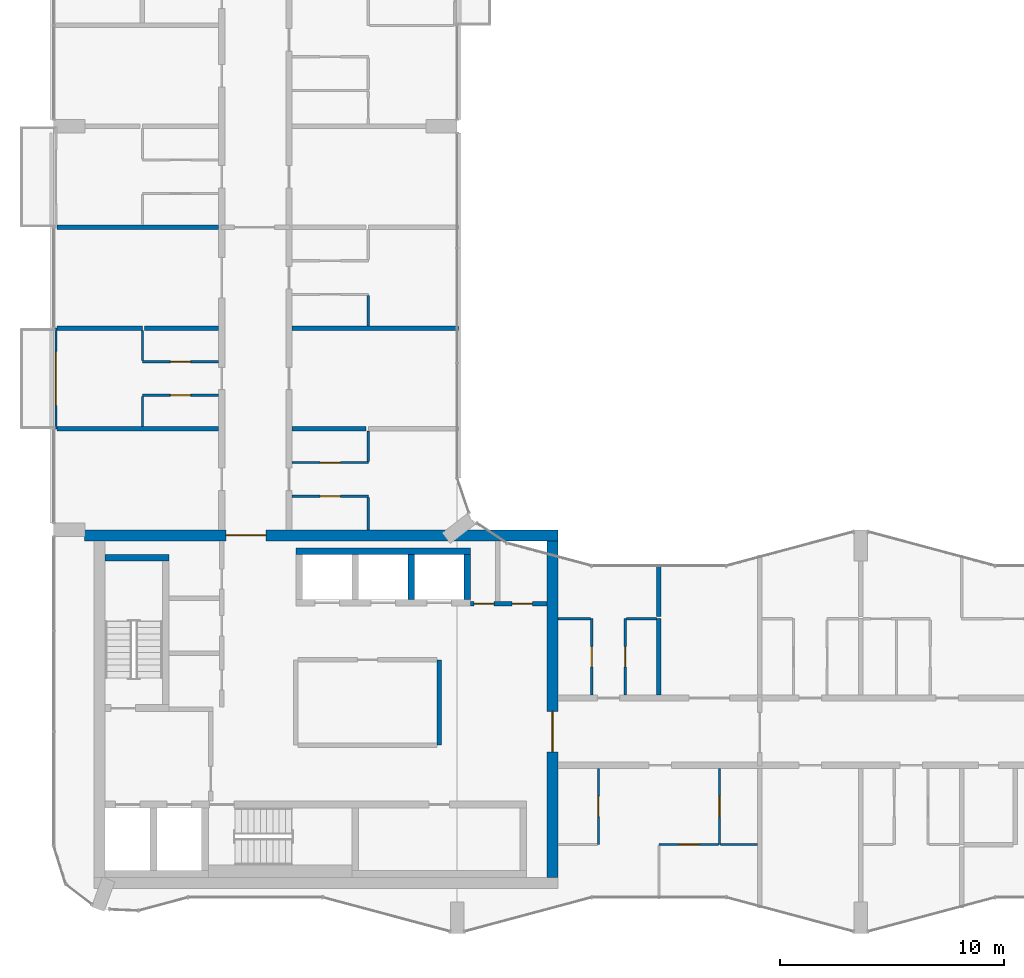
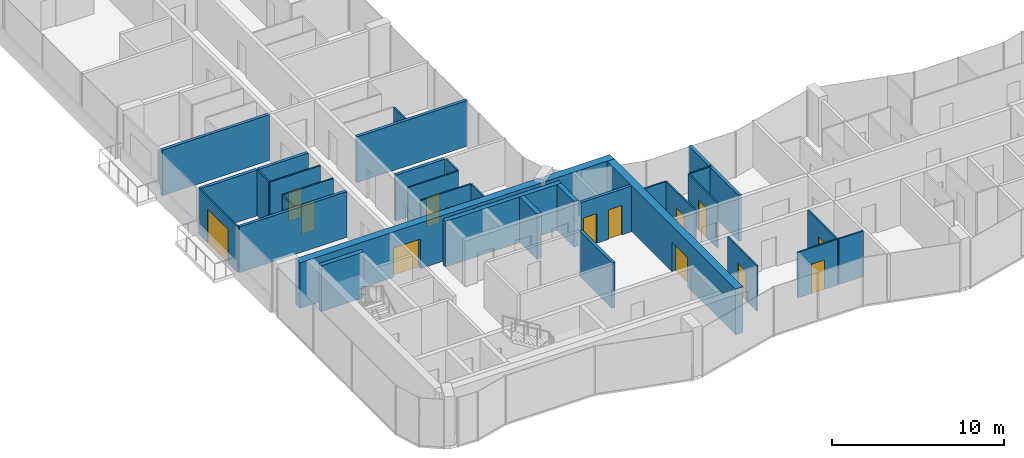
# One storey, part 10 of 16: 34 walls, 14 doors, 14 openings.
"""IFC4 building model written with IfcOpenShell, lengths in metres."""

from ifc_helpers import new_model, si_unit, direction, frame, frame_2d, origin, place, context, subcontext, project, spatial, rectangle, extrude, material, layer, layer_set, type_object, element, fill, save


model = new_model("IFC4")

# Units and contexts
model_context = context("Model", 3, precision=1e-05, world=origin(), true_north=direction((0.0, 1.0)))
body_context = subcontext(model_context, "Body", "Model", "MODEL_VIEW")
ifc_project = project(units=[si_unit("LENGTHUNIT", "METRE"), si_unit("AREAUNIT", "SQUARE_METRE"), si_unit("VOLUMEUNIT", "CUBIC_METRE"), si_unit("PLANEANGLEUNIT", "RADIAN"), si_unit("MASSUNIT", "GRAM", prefix="KILO")], contexts=[model_context])

# Site, building, storey
site_placement = place(None, origin())
site = spatial("IfcSite", under=ifc_project, at=site_placement, CompositionType="ELEMENT")
building_placement = place(site_placement, origin())
building = spatial("IfcBuilding", under=site, at=building_placement, Name="Plateau Cross Towers", CompositionType="ELEMENT")
storey_placement = place(building_placement, frame((0.0, 0.0, 218.89990234375)))
storey = spatial("IfcBuildingStorey", under=building, at=storey_placement, Name="L57", CompositionType="ELEMENT", Elevation=218.89990234375)

# Wall, opening, door
ifc_material_1 = material(Name="Aluminium framed glazing", Category="aluminium")
ifc_layer_1 = layer(ifc_material_1, 0.10009765625)
ifc_layer_set_1 = layer_set([ifc_layer_1], Name="Aluminium framed glazing")
wall_type_1 = type_object("IfcWallType", Name="Balcony screen wall 100", PredefinedType="STANDARD", material=ifc_layer_set_1)
wall_1_placement = place(storey_placement, frame((0.10009765625, 22.5, 0.0), z_axis=(0.0, 0.0, 1.0), x_axis=(0.0, 1.0, 0.0)))
wall_1 = element("IfcWall", 1, at=wall_1_placement, inside=storey, type_object=wall_type_1, Name="Balcony screen wall A-BAL-L57-01", PredefinedType="STANDARD", context=body_context, shape_type="SweptSolid", body=[
    extrude(rectangle(XDim=4.5, YDim=0.10009765625, at=frame_2d((2.25, 0.0))), origin(), (0.0, 0.0, 1.0), 3.25),
])
opening_1_placement = place(wall_1_placement, frame((1.050048828125, 0.0, 0.0)))
opening_1 = element("IfcOpeningElement", 2, at=opening_1_placement, cuts=wall_1, Name="Opening D-B24", PredefinedType="OPENING", context=body_context, shape_type="SweptSolid", body=[
    extrude(rectangle(XDim=2.39990234375, YDim=2.39990234375, at=frame_2d((1.199951171875, 1.199951171875))), frame((0.0, 0.06005859375, 0.0), z_axis=(0.0, -1.0, 0.0), x_axis=(1.0, 0.0, 0.0)), (0.0, 0.0, 1.0), 0.1201171875),
])
ifc_material_2 = material(Name="Aluminium frame, double glazing", Category="aluminium")
door_type_1 = type_object("IfcDoorType", Name="Balcony sliding door 2400", OperationType="NOTDEFINED", PredefinedType="DOOR", material=ifc_material_2)
door_1_placement = place(opening_1_placement, origin())
door_1 = element("IfcDoor", 3, at=door_1_placement, inside=storey, type_object=door_type_1, Name="Balcony door A-BAL-L57-01", OperationType="SINGLE_SWING_LEFT", OverallHeight=2.39990234375, OverallWidth=2.39990234375, PredefinedType="DOOR", context=body_context, shape_type="SweptSolid", body=[
    extrude(rectangle(XDim=2.39990234375, YDim=2.39990234375, at=frame_2d((1.199951171875, 1.199951171875))), frame((0.0, 0.02490234375, 0.0), z_axis=(0.0, -1.0, 0.0), x_axis=(1.0, 0.0, 0.0)), (0.0, 0.0, 1.0), 0.050048828125),
])
fill(opening_1, door_1)

# Wall
ifc_material_3 = material(Name="Concrete block, plastered both sides", Category="concrete")
ifc_layer_2 = layer(ifc_material_3, 0.199951171875)
ifc_layer_set_2 = layer_set([ifc_layer_2], Name="Concrete block, plastered both sides")
wall_type_2 = type_object("IfcWallType", Name="Core partition 200", PredefinedType="PARTITIONING", material=ifc_layer_set_2)
wall_2_placement = place(storey_placement, frame((17.199951171875, 8.39990234375, 0.0), z_axis=(0.0, 0.0, 1.0), x_axis=(0.0, 1.0, 0.0)))
element("IfcWall", 4, at=wall_2_placement, inside=storey, type_object=wall_type_2, Name="Core partition", PredefinedType="PARTITIONING", context=body_context, shape_type="SweptSolid", body=[
    extrude(rectangle(XDim=3.800048828125, YDim=0.199951171875, at=frame_2d((1.89990234375, 0.0))), origin(), (0.0, 0.0, 1.0), 3.25),
])

# Wall, openings, doors
wall_3_placement = place(storey_placement, frame((18.60009765625, 14.699951171875, 0.0), z_axis=(0.0, 0.0, 1.0), x_axis=(1.0, 0.0, 0.0)))
wall_3 = element("IfcWall", 5, at=wall_3_placement, inside=storey, type_object=wall_type_2, Name="Core partition", PredefinedType="PARTITIONING", context=body_context, shape_type="SweptSolid", body=[
    extrude(rectangle(XDim=3.39990234375, YDim=0.199951171875, at=frame_2d((1.699951171875, 0.0))), origin(), (0.0, 0.0, 1.0), 3.25),
])
opening_2_placement = place(wall_3_placement, frame((0.14990234375, 0.0, 0.0)))
opening_2 = element("IfcOpeningElement", 6, at=opening_2_placement, cuts=wall_3, Name="Opening RD2", PredefinedType="OPENING", context=body_context, shape_type="SweptSolid", body=[
    extrude(rectangle(XDim=0.89990234375, YDim=2.10009765625, at=frame_2d((0.449951171875, 1.050048828125))), frame((0.0, 0.10986328125, 0.0), z_axis=(0.0, -1.0, 0.0), x_axis=(1.0, 0.0, 0.0)), (0.0, 0.0, 1.0), 0.219970703125),
])
opening_3_placement = place(wall_3_placement, frame((1.85009765625, 0.0, 0.0)))
opening_3 = element("IfcOpeningElement", 7, at=opening_3_placement, cuts=wall_3, Name="Opening RD2", PredefinedType="OPENING", context=body_context, shape_type="SweptSolid", body=[
    extrude(rectangle(XDim=0.89990234375, YDim=2.10009765625, at=frame_2d((0.449951171875, 1.050048828125))), frame((0.0, 0.10986328125, 0.0), z_axis=(0.0, -1.0, 0.0), x_axis=(1.0, 0.0, 0.0)), (0.0, 0.0, 1.0), 0.219970703125),
])
ifc_material_4 = material(Name="Steel, fire-resisting leaf", Category="steel")
door_type_2 = type_object("IfcDoorType", Name="Core riser door 900", OperationType="NOTDEFINED", PredefinedType="DOOR", material=ifc_material_4)
door_2_placement = place(opening_2_placement, origin())
door_2 = element("IfcDoor", 8, at=door_2_placement, inside=storey, type_object=door_type_2, Name="Core riser door RD2", OperationType="SINGLE_SWING_LEFT", OverallHeight=2.10009765625, OverallWidth=0.89990234375, PredefinedType="DOOR", context=body_context, shape_type="SweptSolid", body=[
    extrude(rectangle(XDim=0.89990234375, YDim=2.10009765625, at=frame_2d((0.449951171875, 1.050048828125))), frame((0.0, 0.02490234375, 0.0), z_axis=(0.0, -1.0, 0.0), x_axis=(1.0, 0.0, 0.0)), (0.0, 0.0, 1.0), 0.050048828125),
])
fill(opening_2, door_2)
door_3_placement = place(opening_3_placement, origin())
door_3 = element("IfcDoor", 9, at=door_3_placement, inside=storey, type_object=door_type_2, Name="Core riser door RD2", OperationType="SINGLE_SWING_LEFT", OverallHeight=2.10009765625, OverallWidth=0.89990234375, PredefinedType="DOOR", context=body_context, shape_type="SweptSolid", body=[
    extrude(rectangle(XDim=0.89990234375, YDim=2.10009765625, at=frame_2d((0.449951171875, 1.050048828125))), frame((0.0, 0.02490234375, 0.0), z_axis=(0.0, -1.0, 0.0), x_axis=(1.0, 0.0, 0.0)), (0.0, 0.0, 1.0), 0.050048828125),
])
fill(opening_3, door_3)

# Walls
ifc_material_5 = material(Name="Concrete C60/75", Category="concrete")
ifc_layer_3 = layer(ifc_material_5, 0.300048828125)
ifc_layer_set_3 = layer_set([ifc_layer_3], Name="Concrete C60/75")
wall_type_3 = type_object("IfcWallType", Name="Core shaft wall 300", PredefinedType="SHEAR", material=ifc_layer_set_3)
wall_4_placement = place(storey_placement, frame((2.300048828125, 16.75, 0.0), z_axis=(0.0, 0.0, 1.0), x_axis=(1.0, 0.0, 0.0)))
element("IfcWall", 10, at=wall_4_placement, inside=storey, type_object=wall_type_3, Name="A-st1-N@L57", PredefinedType="SHEAR", context=body_context, shape_type="SweptSolid", body=[
    extrude(rectangle(XDim=2.849853515625, YDim=0.300048828125, at=frame_2d((1.4248046875, 0.0))), origin(), (0.0, 0.0, 1.0), 3.25),
])
wall_5_placement = place(storey_placement, frame((10.800048828125, 17.050048828125, 0.0), z_axis=(0.0, 0.0, 1.0), x_axis=(1.0, 0.0, 0.0)))
element("IfcWall", 11, at=wall_5_placement, inside=storey, type_object=wall_type_3, Name="A-nb-back@L57", PredefinedType="SHEAR", context=body_context, shape_type="SweptSolid", body=[
    extrude(rectangle(XDim=7.800048828125, YDim=0.300048828125, at=frame_2d((3.89990234375, 0.0))), origin(), (0.0, 0.0, 1.0), 3.25),
])
for number, where, z_axis, x_axis, name in (
    (12, (15.949951171875, 14.89990234375, 0.0), (0.0, 0.0, 1.0), (0.0, 1.0, 0.0), "A-nb-v3@L57"),
    (13, (18.449951171875, 14.89990234375, 0.0), (0.0, 0.0, 1.0), (0.0, 1.0, 0.0), "A-nb-v4@L57"),
):
    element("IfcWall", number, at=place(storey_placement, frame(where, z_axis=z_axis, x_axis=x_axis)), inside=storey, type_object=wall_type_3, Name=name, PredefinedType="SHEAR", context=body_context, shape_type="SweptSolid", body=[
        extrude(rectangle(XDim=2.0, YDim=0.300048828125, at=frame_2d((1.0, 0.0))), origin(), (0.0, 0.0, 1.0), 3.25),
    ])

# Wall, opening, door
ifc_layer_4 = layer(ifc_material_5, 0.5)
ifc_layer_set_4 = layer_set([ifc_layer_4], Name="Concrete C60/75")
wall_type_4 = type_object("IfcWallType", Name="Core shell wall 500", PredefinedType="SHEAR", material=ifc_layer_set_4)
wall_6_placement = place(storey_placement, frame((1.3798828125, 17.75, 0.0), z_axis=(0.0, 0.0, 1.0), x_axis=(1.0, 0.0, 0.0)))
wall_6 = element("IfcWall", 14, at=wall_6_placement, inside=storey, type_object=wall_type_4, Name="A-core-N@L57", PredefinedType="SHEAR", context=body_context, shape_type="SweptSolid", body=[
    extrude(rectangle(XDim=21.1201171875, YDim=0.5, at=frame_2d((10.56005859375, 0.0))), origin(), (0.0, 0.0, 1.0), 3.25),
])
opening_4_placement = place(wall_6_placement, frame((6.300048828125, 0.0, 0.0)))
opening_4 = element("IfcOpeningElement", 15, at=opening_4_placement, cuts=wall_6, Name="Opening CD", PredefinedType="OPENING", context=body_context, shape_type="SweptSolid", body=[
    extrude(rectangle(XDim=1.800048828125, YDim=2.10009765625, at=frame_2d((0.89990234375, 1.050048828125))), frame((0.0, 0.260009765625, 0.0), z_axis=(0.0, -1.0, 0.0), x_axis=(1.0, 0.0, 0.0)), (0.0, 0.0, 1.0), 0.52001953125),
])
ifc_material_6 = material(Name="Steel, fire-resisting leaves", Category="steel")
door_type_3 = type_object("IfcDoorType", Name="Corridor door pair 1800", OperationType="NOTDEFINED", PredefinedType="DOOR", material=ifc_material_6)
door_4_placement = place(opening_4_placement, origin())
door_4 = element("IfcDoor", 16, at=door_4_placement, inside=storey, type_object=door_type_3, Name="Corridor door pair CD", OperationType="DOUBLE_DOOR_SINGLE_SWING", OverallHeight=2.10009765625, OverallWidth=1.800048828125, PredefinedType="DOOR", context=body_context, shape_type="SweptSolid", body=[
    extrude(rectangle(XDim=1.800048828125, YDim=2.10009765625, at=frame_2d((0.89990234375, 1.050048828125))), frame((0.0, 0.02490234375, 0.0), z_axis=(0.0, -1.0, 0.0), x_axis=(1.0, 0.0, 0.0)), (0.0, 0.0, 1.0), 0.050048828125),
])
fill(opening_4, door_4)

wall_7_placement = place(storey_placement, frame((22.25, 2.5, 0.0), z_axis=(0.0, 0.0, 1.0), x_axis=(0.0, 1.0, 0.0)))
wall_7 = element("IfcWall", 17, at=wall_7_placement, inside=storey, type_object=wall_type_4, Name="A-core-E@L57", PredefinedType="SHEAR", context=body_context, shape_type="SweptSolid", body=[
    extrude(rectangle(XDim=15.0, YDim=0.5, at=frame_2d((7.5, 0.0))), origin(), (0.0, 0.0, 1.0), 3.25),
])
opening_5_placement = place(wall_7_placement, frame((5.60009765625, 0.0, 0.0)))
opening_5 = element("IfcOpeningElement", 18, at=opening_5_placement, cuts=wall_7, Name="Opening CD", PredefinedType="OPENING", context=body_context, shape_type="SweptSolid", body=[
    extrude(rectangle(XDim=1.800048828125, YDim=2.10009765625, at=frame_2d((0.89990234375, 1.050048828125))), frame((0.0, 0.260009765625, 0.0), z_axis=(0.0, -1.0, 0.0), x_axis=(1.0, 0.0, 0.0)), (0.0, 0.0, 1.0), 0.52001953125),
])
door_5_placement = place(opening_5_placement, origin())
door_5 = element("IfcDoor", 19, at=door_5_placement, inside=storey, type_object=door_type_3, Name="Corridor door pair CD", OperationType="DOUBLE_DOOR_SINGLE_SWING", OverallHeight=2.10009765625, OverallWidth=1.800048828125, PredefinedType="DOOR", context=body_context, shape_type="SweptSolid", body=[
    extrude(rectangle(XDim=1.800048828125, YDim=2.10009765625, at=frame_2d((0.89990234375, 1.050048828125))), frame((0.0, 0.02490234375, 0.0), z_axis=(0.0, -1.0, 0.0), x_axis=(1.0, 0.0, 0.0)), (0.0, 0.0, 1.0), 0.050048828125),
])
fill(opening_5, door_5)

ifc_material_7 = material(Name="Gypsum board on steel studs", Category="steel")
ifc_layer_5 = layer(ifc_material_7, 0.10009765625)
ifc_layer_set_5 = layer_set([ifc_layer_5], Name="Gypsum board on steel studs")
wall_type_5 = type_object("IfcWallType", Name="Flat partition 100", PredefinedType="PARTITIONING", material=ifc_layer_set_5)
wall_8_placement = place(storey_placement, frame((29.64990234375, 3.96240234375, 0.0), z_axis=(0.0, 0.0, 1.0), x_axis=(-1.0, 0.0, 0.0)))
wall_8 = element("IfcWall", 20, at=wall_8_placement, inside=storey, type_object=wall_type_5, Name="Partition wall", PredefinedType="PARTITIONING", context=body_context, shape_type="SweptSolid", body=[
    extrude(rectangle(XDim=2.64990234375, YDim=0.10009765625, at=frame_2d((1.324951171875, 0.0))), origin(), (0.0, 0.0, 1.0), 3.25),
])
opening_6_placement = place(wall_8_placement, frame((0.85009765625, 0.0, 0.0)))
opening_6 = element("IfcOpeningElement", 21, at=opening_6_placement, cuts=wall_8, Name="Opening 57-28", PredefinedType="OPENING", context=body_context, shape_type="SweptSolid", body=[
    extrude(rectangle(XDim=0.89990234375, YDim=2.10009765625, at=frame_2d((0.449951171875, 1.050048828125))), frame((0.0, 0.06005859375, 0.0), z_axis=(0.0, -1.0, 0.0), x_axis=(1.0, 0.0, 0.0)), (0.0, 0.0, 1.0), 0.1201171875),
])
ifc_material_8 = material(Name="Timber leaf", Category="wood")
door_type_4 = type_object("IfcDoorType", Name="Flat room door 900", OperationType="NOTDEFINED", PredefinedType="DOOR", material=ifc_material_8)
door_6_placement = place(opening_6_placement, origin())
door_6 = element("IfcDoor", 22, at=door_6_placement, inside=storey, type_object=door_type_4, Name="Door 57-28", OperationType="SINGLE_SWING_LEFT", OverallHeight=2.10009765625, OverallWidth=0.89990234375, PredefinedType="DOOR", context=body_context, shape_type="SweptSolid", body=[
    extrude(rectangle(XDim=0.89990234375, YDim=2.10009765625, at=frame_2d((0.449951171875, 1.050048828125))), frame((0.0, 0.02490234375, 0.0), z_axis=(0.0, -1.0, 0.0), x_axis=(1.0, 0.0, 0.0)), (0.0, 0.0, 1.0), 0.050048828125),
])
fill(opening_6, door_6)

# Walls
wall_9_placement = place(storey_placement, frame((29.75, 3.96240234375, 0.0), z_axis=(0.0, 0.0, 1.0), x_axis=(1.0, 0.0, 0.0)))
element("IfcWall", 23, at=wall_9_placement, inside=storey, type_object=wall_type_5, Name="Partition wall", PredefinedType="PARTITIONING", context=body_context, shape_type="SweptSolid", body=[
    extrude(rectangle(XDim=1.64990234375, YDim=0.10009765625, at=frame_2d((0.824951171875, 0.0))), origin(), (0.0, 0.0, 1.0), 3.25),
])
wall_10_placement = place(storey_placement, frame((23.949951171875, 14.03759765625, 0.0), z_axis=(0.0, 0.0, 1.0), x_axis=(-1.0, 0.0, 0.0)))
element("IfcWall", 24, at=wall_10_placement, inside=storey, type_object=wall_type_5, Name="Partition wall", PredefinedType="PARTITIONING", context=body_context, shape_type="SweptSolid", body=[
    extrude(rectangle(XDim=1.449951171875, YDim=0.10009765625, at=frame_2d((0.72509765625, 0.0))), origin(), (0.0, 0.0, 1.0), 3.25),
])
wall_11_placement = place(storey_placement, frame((26.89990234375, 14.03759765625, 0.0), z_axis=(0.0, 0.0, 1.0), x_axis=(-1.0, 0.0, 0.0)))
element("IfcWall", 25, at=wall_11_placement, inside=storey, type_object=wall_type_5, Name="Partition wall", PredefinedType="PARTITIONING", context=body_context, shape_type="SweptSolid", body=[
    extrude(rectangle(XDim=1.349853515625, YDim=0.10009765625, at=frame_2d((0.6748046875, 0.0))), origin(), (0.0, 0.0, 1.0), 3.25),
])

# Wall, opening, door
wall_12_placement = place(storey_placement, frame((14.03759765625, 19.5, 0.0), z_axis=(0.0, 0.0, 1.0), x_axis=(-1.0, 0.0, 0.0)))
wall_12 = element("IfcWall", 26, at=wall_12_placement, inside=storey, type_object=wall_type_5, Name="Partition wall", PredefinedType="PARTITIONING", context=body_context, shape_type="SweptSolid", body=[
    extrude(rectangle(XDim=3.400146484375, YDim=0.10009765625, at=frame_2d((1.7001953125, 0.0))), origin(), (0.0, 0.0, 1.0), 3.25),
])
opening_7_placement = place(wall_12_placement, frame((1.25, 0.0, 0.0)))
opening_7 = element("IfcOpeningElement", 27, at=opening_7_placement, cuts=wall_12, Name="Opening 57-44", PredefinedType="OPENING", context=body_context, shape_type="SweptSolid", body=[
    extrude(rectangle(XDim=0.89990234375, YDim=2.10009765625, at=frame_2d((0.449951171875, 1.050048828125))), frame((0.0, 0.06005859375, 0.0), z_axis=(0.0, -1.0, 0.0), x_axis=(1.0, 0.0, 0.0)), (0.0, 0.0, 1.0), 0.1201171875),
])
door_7_placement = place(opening_7_placement, origin())
door_7 = element("IfcDoor", 28, at=door_7_placement, inside=storey, type_object=door_type_4, Name="Door 57-44", OperationType="SINGLE_SWING_LEFT", OverallHeight=2.10009765625, OverallWidth=0.89990234375, PredefinedType="DOOR", context=body_context, shape_type="SweptSolid", body=[
    extrude(rectangle(XDim=0.89990234375, YDim=2.10009765625, at=frame_2d((0.449951171875, 1.050048828125))), frame((0.0, 0.02490234375, 0.0), z_axis=(0.0, -1.0, 0.0), x_axis=(1.0, 0.0, 0.0)), (0.0, 0.0, 1.0), 0.050048828125),
])
fill(opening_7, door_7)

wall_13_placement = place(storey_placement, frame((10.637451171875, 21.0, 0.0), z_axis=(0.0, 0.0, 1.0), x_axis=(1.0, 0.0, 0.0)))
wall_13 = element("IfcWall", 29, at=wall_13_placement, inside=storey, type_object=wall_type_5, Name="Partition wall", PredefinedType="PARTITIONING", context=body_context, shape_type="SweptSolid", body=[
    extrude(rectangle(XDim=3.400146484375, YDim=0.10009765625, at=frame_2d((1.7001953125, 0.0))), origin(), (0.0, 0.0, 1.0), 3.25),
])
opening_8_placement = place(wall_13_placement, frame((1.25, 0.0, 0.0)))
opening_8 = element("IfcOpeningElement", 30, at=opening_8_placement, cuts=wall_13, Name="Opening 57-45", PredefinedType="OPENING", context=body_context, shape_type="SweptSolid", body=[
    extrude(rectangle(XDim=0.89990234375, YDim=2.10009765625, at=frame_2d((0.449951171875, 1.050048828125))), frame((0.0, 0.06005859375, 0.0), z_axis=(0.0, -1.0, 0.0), x_axis=(1.0, 0.0, 0.0)), (0.0, 0.0, 1.0), 0.1201171875),
])
door_8_placement = place(opening_8_placement, origin())
door_8 = element("IfcDoor", 31, at=door_8_placement, inside=storey, type_object=door_type_4, Name="Door 57-45", OperationType="SINGLE_SWING_LEFT", OverallHeight=2.10009765625, OverallWidth=0.89990234375, PredefinedType="DOOR", context=body_context, shape_type="SweptSolid", body=[
    extrude(rectangle(XDim=0.89990234375, YDim=2.10009765625, at=frame_2d((0.449951171875, 1.050048828125))), frame((0.0, 0.02490234375, 0.0), z_axis=(0.0, -1.0, 0.0), x_axis=(1.0, 0.0, 0.0)), (0.0, 0.0, 1.0), 0.050048828125),
])
fill(opening_8, door_8)

wall_14_placement = place(storey_placement, frame((7.362548828125, 24.0, 0.0), z_axis=(0.0, 0.0, 1.0), x_axis=(-1.0, 0.0, 0.0)))
wall_14 = element("IfcWall", 32, at=wall_14_placement, inside=storey, type_object=wall_type_5, Name="Partition wall", PredefinedType="PARTITIONING", context=body_context, shape_type="SweptSolid", body=[
    extrude(rectangle(XDim=3.400146484375, YDim=0.10009765625, at=frame_2d((1.7001953125, 0.0))), origin(), (0.0, 0.0, 1.0), 3.25),
])
opening_9_placement = place(wall_14_placement, frame((1.25, 0.0, 0.0)))
opening_9 = element("IfcOpeningElement", 33, at=opening_9_placement, cuts=wall_14, Name="Opening 57-40", PredefinedType="OPENING", context=body_context, shape_type="SweptSolid", body=[
    extrude(rectangle(XDim=0.89990234375, YDim=2.10009765625, at=frame_2d((0.449951171875, 1.050048828125))), frame((0.0, 0.06005859375, 0.0), z_axis=(0.0, -1.0, 0.0), x_axis=(1.0, 0.0, 0.0)), (0.0, 0.0, 1.0), 0.1201171875),
])
door_9_placement = place(opening_9_placement, origin())
door_9 = element("IfcDoor", 34, at=door_9_placement, inside=storey, type_object=door_type_4, Name="Door 57-40", OperationType="SINGLE_SWING_LEFT", OverallHeight=2.10009765625, OverallWidth=0.89990234375, PredefinedType="DOOR", context=body_context, shape_type="SweptSolid", body=[
    extrude(rectangle(XDim=0.89990234375, YDim=2.10009765625, at=frame_2d((0.449951171875, 1.050048828125))), frame((0.0, 0.02490234375, 0.0), z_axis=(0.0, -1.0, 0.0), x_axis=(1.0, 0.0, 0.0)), (0.0, 0.0, 1.0), 0.050048828125),
])
fill(opening_9, door_9)

wall_15_placement = place(storey_placement, frame((3.96240234375, 25.5, 0.0), z_axis=(0.0, 0.0, 1.0), x_axis=(1.0, 0.0, 0.0)))
wall_15 = element("IfcWall", 35, at=wall_15_placement, inside=storey, type_object=wall_type_5, Name="Partition wall", PredefinedType="PARTITIONING", context=body_context, shape_type="SweptSolid", body=[
    extrude(rectangle(XDim=3.400146484375, YDim=0.10009765625, at=frame_2d((1.7001953125, 0.0))), origin(), (0.0, 0.0, 1.0), 3.25),
])
opening_10_placement = place(wall_15_placement, frame((1.25, 0.0, 0.0)))
opening_10 = element("IfcOpeningElement", 36, at=opening_10_placement, cuts=wall_15, Name="Opening 57-41", PredefinedType="OPENING", context=body_context, shape_type="SweptSolid", body=[
    extrude(rectangle(XDim=0.89990234375, YDim=2.10009765625, at=frame_2d((0.449951171875, 1.050048828125))), frame((0.0, 0.06005859375, 0.0), z_axis=(0.0, -1.0, 0.0), x_axis=(1.0, 0.0, 0.0)), (0.0, 0.0, 1.0), 0.1201171875),
])
door_10_placement = place(opening_10_placement, origin())
door_10 = element("IfcDoor", 37, at=door_10_placement, inside=storey, type_object=door_type_4, Name="Door 57-41", OperationType="SINGLE_SWING_LEFT", OverallHeight=2.10009765625, OverallWidth=0.89990234375, PredefinedType="DOOR", context=body_context, shape_type="SweptSolid", body=[
    extrude(rectangle(XDim=0.89990234375, YDim=2.10009765625, at=frame_2d((0.449951171875, 1.050048828125))), frame((0.0, 0.02490234375, 0.0), z_axis=(0.0, -1.0, 0.0), x_axis=(1.0, 0.0, 0.0)), (0.0, 0.0, 1.0), 0.050048828125),
])
fill(opening_10, door_10)

# Walls
for number, where, z_axis, x_axis, name in (
    (38, (3.96240234375, 23.949951171875, 0.0), (0.0, 0.0, 1.0), (0.0, -1.0, 0.0), "Partition wall"),
    (39, (3.96240234375, 26.89990234375, 0.0), (0.0, 0.0, 1.0), (0.0, -1.0, 0.0), "Partition wall"),
):
    element("IfcWall", number, at=place(storey_placement, frame(where, z_axis=z_axis, x_axis=x_axis)), inside=storey, type_object=wall_type_5, Name=name, PredefinedType="PARTITIONING", context=body_context, shape_type="SweptSolid", body=[
        extrude(rectangle(XDim=1.349853515625, YDim=0.10009765625, at=frame_2d((0.6748046875, 0.0))), origin(), (0.0, 0.0, 1.0), 3.25),
    ])
wall_16_placement = place(storey_placement, frame((14.03759765625, 18.0, 0.0), z_axis=(0.0, 0.0, 1.0), x_axis=(0.0, 1.0, 0.0)))
element("IfcWall", 40, at=wall_16_placement, inside=storey, type_object=wall_type_5, Name="Partition wall", PredefinedType="PARTITIONING", context=body_context, shape_type="SweptSolid", body=[
    extrude(rectangle(XDim=1.449951171875, YDim=0.10009765625, at=frame_2d((0.72509765625, 0.0))), origin(), (0.0, 0.0, 1.0), 3.25),
])
for number, where, z_axis, x_axis, name in (
    (41, (14.03759765625, 21.050048828125, 0.0), (0.0, 0.0, 1.0), (0.0, 1.0, 0.0), "Partition wall"),
    (42, (14.03759765625, 27.10009765625, 0.0), (0.0, 0.0, 1.0), (0.0, 1.0, 0.0), "Partition wall"),
):
    element("IfcWall", number, at=place(storey_placement, frame(where, z_axis=z_axis, x_axis=x_axis)), inside=storey, type_object=wall_type_5, Name=name, PredefinedType="PARTITIONING", context=body_context, shape_type="SweptSolid", body=[
        extrude(rectangle(XDim=1.349853515625, YDim=0.10009765625, at=frame_2d((0.6748046875, 0.0))), origin(), (0.0, 0.0, 1.0), 3.25),
    ])

# Wall, opening, door
wall_17_placement = place(storey_placement, frame((24.0, 10.637451171875, 0.0), z_axis=(0.0, 0.0, 1.0), x_axis=(0.0, 1.0, 0.0)))
wall_17 = element("IfcWall", 43, at=wall_17_placement, inside=storey, type_object=wall_type_5, Name="Partition wall", PredefinedType="PARTITIONING", context=body_context, shape_type="SweptSolid", body=[
    extrude(rectangle(XDim=3.400146484375, YDim=0.10009765625, at=frame_2d((1.7001953125, 0.0))), origin(), (0.0, 0.0, 1.0), 3.25),
])
opening_11_placement = place(wall_17_placement, frame((1.25, 0.0, 0.0)))
opening_11 = element("IfcOpeningElement", 44, at=opening_11_placement, cuts=wall_17, Name="Opening 57-31", PredefinedType="OPENING", context=body_context, shape_type="SweptSolid", body=[
    extrude(rectangle(XDim=0.89990234375, YDim=2.10009765625, at=frame_2d((0.449951171875, 1.050048828125))), frame((0.0, 0.06005859375, 0.0), z_axis=(0.0, -1.0, 0.0), x_axis=(1.0, 0.0, 0.0)), (0.0, 0.0, 1.0), 0.1201171875),
])
door_11_placement = place(opening_11_placement, origin())
door_11 = element("IfcDoor", 45, at=door_11_placement, inside=storey, type_object=door_type_4, Name="Door 57-31", OperationType="SINGLE_SWING_LEFT", OverallHeight=2.10009765625, OverallWidth=0.89990234375, PredefinedType="DOOR", context=body_context, shape_type="SweptSolid", body=[
    extrude(rectangle(XDim=0.89990234375, YDim=2.10009765625, at=frame_2d((0.449951171875, 1.050048828125))), frame((0.0, 0.02490234375, 0.0), z_axis=(0.0, -1.0, 0.0), x_axis=(1.0, 0.0, 0.0)), (0.0, 0.0, 1.0), 0.050048828125),
])
fill(opening_11, door_11)

wall_18_placement = place(storey_placement, frame((24.300048828125, 3.96240234375, 0.0), z_axis=(0.0, 0.0, 1.0), x_axis=(0.0, 1.0, 0.0)))
wall_18 = element("IfcWall", 46, at=wall_18_placement, inside=storey, type_object=wall_type_5, Name="Partition wall", PredefinedType="PARTITIONING", context=body_context, shape_type="SweptSolid", body=[
    extrude(rectangle(XDim=3.400146484375, YDim=0.10009765625, at=frame_2d((1.7001953125, 0.0))), origin(), (0.0, 0.0, 1.0), 3.25),
])
opening_12_placement = place(wall_18_placement, frame((1.25, 0.0, 0.0)))
opening_12 = element("IfcOpeningElement", 47, at=opening_12_placement, cuts=wall_18, Name="Opening 57-26", PredefinedType="OPENING", context=body_context, shape_type="SweptSolid", body=[
    extrude(rectangle(XDim=0.89990234375, YDim=2.10009765625, at=frame_2d((0.449951171875, 1.050048828125))), frame((0.0, 0.06005859375, 0.0), z_axis=(0.0, -1.0, 0.0), x_axis=(1.0, 0.0, 0.0)), (0.0, 0.0, 1.0), 0.1201171875),
])
door_12_placement = place(opening_12_placement, origin())
door_12 = element("IfcDoor", 48, at=door_12_placement, inside=storey, type_object=door_type_4, Name="Door 57-26", OperationType="SINGLE_SWING_LEFT", OverallHeight=2.10009765625, OverallWidth=0.89990234375, PredefinedType="DOOR", context=body_context, shape_type="SweptSolid", body=[
    extrude(rectangle(XDim=0.89990234375, YDim=2.10009765625, at=frame_2d((0.449951171875, 1.050048828125))), frame((0.0, 0.02490234375, 0.0), z_axis=(0.0, -1.0, 0.0), x_axis=(1.0, 0.0, 0.0)), (0.0, 0.0, 1.0), 0.050048828125),
])
fill(opening_12, door_12)

wall_19_placement = place(storey_placement, frame((25.5, 14.03759765625, 0.0), z_axis=(0.0, 0.0, 1.0), x_axis=(0.0, -1.0, 0.0)))
wall_19 = element("IfcWall", 49, at=wall_19_placement, inside=storey, type_object=wall_type_5, Name="Partition wall", PredefinedType="PARTITIONING", context=body_context, shape_type="SweptSolid", body=[
    extrude(rectangle(XDim=3.400146484375, YDim=0.10009765625, at=frame_2d((1.7001953125, 0.0))), origin(), (0.0, 0.0, 1.0), 3.25),
])
opening_13_placement = place(wall_19_placement, frame((1.25, 0.0, 0.0)))
opening_13 = element("IfcOpeningElement", 50, at=opening_13_placement, cuts=wall_19, Name="Opening 57-32", PredefinedType="OPENING", context=body_context, shape_type="SweptSolid", body=[
    extrude(rectangle(XDim=0.89990234375, YDim=2.10009765625, at=frame_2d((0.449951171875, 1.050048828125))), frame((0.0, 0.06005859375, 0.0), z_axis=(0.0, -1.0, 0.0), x_axis=(1.0, 0.0, 0.0)), (0.0, 0.0, 1.0), 0.1201171875),
])
door_13_placement = place(opening_13_placement, origin())
door_13 = element("IfcDoor", 51, at=door_13_placement, inside=storey, type_object=door_type_4, Name="Door 57-32", OperationType="SINGLE_SWING_LEFT", OverallHeight=2.10009765625, OverallWidth=0.89990234375, PredefinedType="DOOR", context=body_context, shape_type="SweptSolid", body=[
    extrude(rectangle(XDim=0.89990234375, YDim=2.10009765625, at=frame_2d((0.449951171875, 1.050048828125))), frame((0.0, 0.02490234375, 0.0), z_axis=(0.0, -1.0, 0.0), x_axis=(1.0, 0.0, 0.0)), (0.0, 0.0, 1.0), 0.050048828125),
])
fill(opening_13, door_13)

wall_20_placement = place(storey_placement, frame((29.699951171875, 7.362548828125, 0.0), z_axis=(0.0, 0.0, 1.0), x_axis=(0.0, -1.0, 0.0)))
wall_20 = element("IfcWall", 52, at=wall_20_placement, inside=storey, type_object=wall_type_5, Name="Partition wall", PredefinedType="PARTITIONING", context=body_context, shape_type="SweptSolid", body=[
    extrude(rectangle(XDim=3.400146484375, YDim=0.10009765625, at=frame_2d((1.7001953125, 0.0))), origin(), (0.0, 0.0, 1.0), 3.25),
])
opening_14_placement = place(wall_20_placement, frame((1.25, 0.0, 0.0)))
opening_14 = element("IfcOpeningElement", 53, at=opening_14_placement, cuts=wall_20, Name="Opening 57-27", PredefinedType="OPENING", context=body_context, shape_type="SweptSolid", body=[
    extrude(rectangle(XDim=0.89990234375, YDim=2.10009765625, at=frame_2d((0.449951171875, 1.050048828125))), frame((0.0, 0.06005859375, 0.0), z_axis=(0.0, -1.0, 0.0), x_axis=(1.0, 0.0, 0.0)), (0.0, 0.0, 1.0), 0.1201171875),
])
door_14_placement = place(opening_14_placement, origin())
door_14 = element("IfcDoor", 54, at=door_14_placement, inside=storey, type_object=door_type_4, Name="Door 57-27", OperationType="SINGLE_SWING_LEFT", OverallHeight=2.10009765625, OverallWidth=0.89990234375, PredefinedType="DOOR", context=body_context, shape_type="SweptSolid", body=[
    extrude(rectangle(XDim=0.89990234375, YDim=2.10009765625, at=frame_2d((0.449951171875, 1.050048828125))), frame((0.0, 0.02490234375, 0.0), z_axis=(0.0, -1.0, 0.0), x_axis=(1.0, 0.0, 0.0)), (0.0, 0.0, 1.0), 0.050048828125),
])
fill(opening_14, door_14)

# Walls
ifc_material_9 = material(Name="Gypsum board on steel studs, two layers each side", Category="steel")
ifc_layer_6 = layer(ifc_material_9, 0.199951171875)
ifc_layer_set_6 = layer_set([ifc_layer_6], Name="Gypsum board on steel studs, two layers each side")
wall_type_6 = type_object("IfcWallType", Name="Flat party wall 200", PredefinedType="PARTITIONING", material=ifc_layer_set_6)
wall_21_placement = place(storey_placement, frame((7.362548828125, 22.5, 0.0), z_axis=(0.0, 0.0, 1.0), x_axis=(-1.0, 0.0, 0.0)))
element("IfcWall", 55, at=wall_21_placement, inside=storey, type_object=wall_type_6, Name="Party wall", PredefinedType="PARTITIONING", context=body_context, shape_type="SweptSolid", body=[
    extrude(rectangle(XDim=7.212646484375, YDim=0.199951171875, at=frame_2d((3.6064453125, 0.0))), origin(), (0.0, 0.0, 1.0), 3.25),
])
for number, where, z_axis, x_axis, name in (
    (56, (13.9375, 22.5, 0.0), (0.0, 0.0, 1.0), (-1.0, 0.0, 0.0), "Party wall"),
    (57, (7.362548828125, 27.0, 0.0), (0.0, 0.0, 1.0), (-1.0, 0.0, 0.0), "Party wall"),
):
    element("IfcWall", number, at=place(storey_placement, frame(where, z_axis=z_axis, x_axis=x_axis)), inside=storey, type_object=wall_type_6, Name=name, PredefinedType="PARTITIONING", context=body_context, shape_type="SweptSolid", body=[
        extrude(rectangle(XDim=3.300048828125, YDim=0.199951171875, at=frame_2d((1.64990234375, 0.0))), origin(), (0.0, 0.0, 1.0), 3.25),
    ])
wall_22_placement = place(storey_placement, frame((18.080078125, 27.0, 0.0), z_axis=(0.0, 0.0, 1.0), x_axis=(-1.0, 0.0, 0.0)))
element("IfcWall", 58, at=wall_22_placement, inside=storey, type_object=wall_type_6, Name="Party wall", PredefinedType="PARTITIONING", context=body_context, shape_type="SweptSolid", body=[
    extrude(rectangle(XDim=7.442626953125, YDim=0.199951171875, at=frame_2d((3.72119140625, 0.0))), origin(), (0.0, 0.0, 1.0), 3.25),
])
wall_23_placement = place(storey_placement, frame((0.14990234375, 27.0, 0.0), z_axis=(0.0, 0.0, 1.0), x_axis=(1.0, 0.0, 0.0)))
element("IfcWall", 59, at=wall_23_placement, inside=storey, type_object=wall_type_6, Name="Party wall", PredefinedType="PARTITIONING", context=body_context, shape_type="SweptSolid", body=[
    extrude(rectangle(XDim=3.8125, YDim=0.199951171875, at=frame_2d((1.90625, 0.0))), origin(), (0.0, 0.0, 1.0), 3.25),
])
wall_24_placement = place(storey_placement, frame((7.362548828125, 31.5, 0.0), z_axis=(0.0, 0.0, 1.0), x_axis=(-1.0, 0.0, 0.0)))
element("IfcWall", 60, at=wall_24_placement, inside=storey, type_object=wall_type_6, Name="Party wall", PredefinedType="PARTITIONING", context=body_context, shape_type="SweptSolid", body=[
    extrude(rectangle(XDim=7.212646484375, YDim=0.199951171875, at=frame_2d((3.6064453125, 0.0))), origin(), (0.0, 0.0, 1.0), 3.25),
])
wall_25_placement = place(storey_placement, frame((27.0, 16.47314453125, 0.0), z_axis=(0.0, 0.0, 1.0), x_axis=(0.0, -1.0, 0.0)))
element("IfcWall", 61, at=wall_25_placement, inside=storey, type_object=wall_type_6, Name="Party wall", PredefinedType="PARTITIONING", context=body_context, shape_type="SweptSolid", body=[
    extrude(rectangle(XDim=2.335693359375, YDim=0.199951171875, at=frame_2d((1.16796875, 0.0))), origin(), (0.0, 0.0, 1.0), 3.25),
])
wall_26_placement = place(storey_placement, frame((27.0, 10.637451171875, 0.0), z_axis=(0.0, 0.0, 1.0), x_axis=(0.0, 1.0, 0.0)))
element("IfcWall", 62, at=wall_26_placement, inside=storey, type_object=wall_type_6, Name="Party wall", PredefinedType="PARTITIONING", context=body_context, shape_type="SweptSolid", body=[
    extrude(rectangle(XDim=3.400146484375, YDim=0.199951171875, at=frame_2d((1.7001953125, 0.0))), origin(), (0.0, 0.0, 1.0), 3.25),
])

save(model, "model.ifc")
